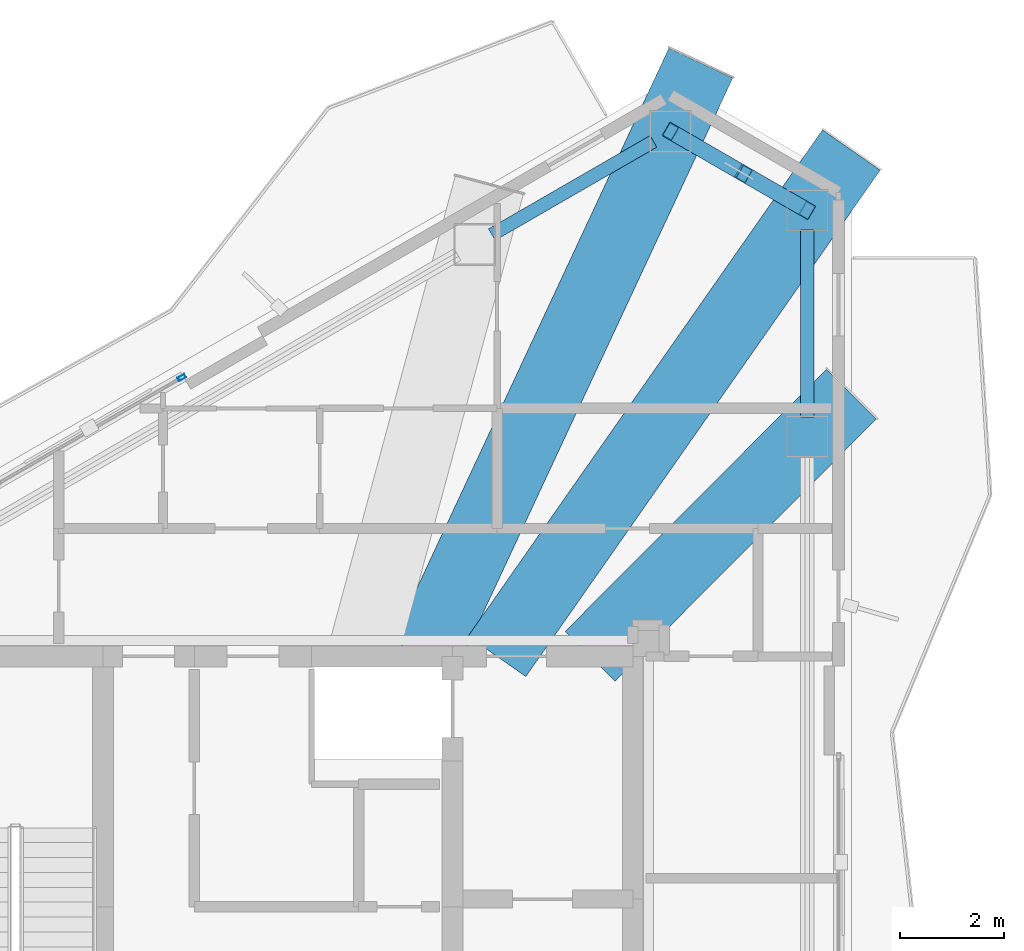
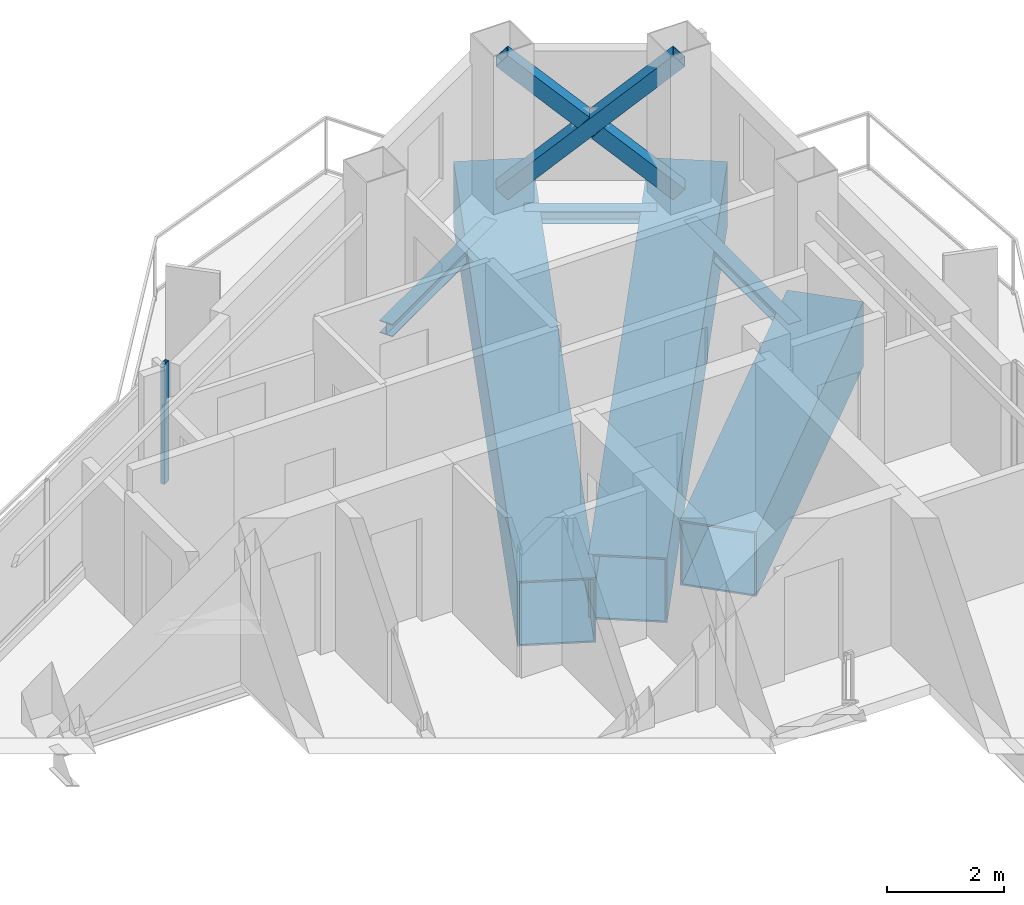
# One storey, part 11 of 17: 6 beams, 4 members, 1 element without a shape of its own.
"""IFC4 building model written with IfcOpenShell, lengths in metres."""

from ifc_helpers import new_model, si_unit, direction, frame, origin, origin_2d, place, context, subcontext, project, spatial, hollow_rectangle, i_section, extrude, material, layer, layer_set, material_profile, profile_set, type_object, element, aggregate, save


model = new_model("IFC4")

# Units and contexts
model_context = context("Model", 3, precision=1e-05, world=origin(), true_north=direction((0.0, 1.0)))
body_context = subcontext(model_context, "Body", "Model", "MODEL_VIEW")
ifc_project = project(units=[si_unit("LENGTHUNIT", "METRE"), si_unit("AREAUNIT", "SQUARE_METRE"), si_unit("VOLUMEUNIT", "CUBIC_METRE"), si_unit("PLANEANGLEUNIT", "RADIAN"), si_unit("MASSUNIT", "GRAM", prefix="KILO")], contexts=[model_context])

# Site, building, storey
site_placement = place(None, origin())
site = spatial("IfcSite", under=ifc_project, at=site_placement, CompositionType="ELEMENT")
building_placement = place(site_placement, origin())
building = spatial("IfcBuilding", under=site, at=building_placement, Name="Mersakhor Tower and Convention Hall", CompositionType="ELEMENT")
storey_placement = place(building_placement, frame((0.0, 0.0, 223.199951171875)))
storey = spatial("IfcBuildingStorey", under=building, at=storey_placement, Name="L62", CompositionType="ELEMENT", Elevation=223.199951171875)

# Beams
ifc_material_1 = material(Name="Steel S355", Category="steel")
ifc_material_profile_1 = material_profile(ifc_material_1, i_section(OverallWidth=0.25634765625, OverallDepth=0.26025390625, WebThickness=0.01025390625, FlangeThickness=0.017333984375, at=origin_2d()), Name="UC 254x254x89")
ifc_profile_set_1 = profile_set([ifc_material_profile_1], Name="Steel S355")
beam_type_1 = type_object("IfcBeamType", Name="BM-SPD-UC254", PredefinedType="SPANDREL", material=ifc_profile_set_1)
beam_1_placement = place(storey_placement, frame((33.1005859375, 40.829345703125, -0.35009765625), z_axis=(0.866002454009, 0.500039748071, 0.0), x_axis=(-0.500039748071, 0.866002454009, 0.0)))
element("IfcBeam", 1, at=beam_1_placement, inside=storey, type_object=beam_type_1, Name="L62 Perimeter Spandrel Beam SPB-03", PredefinedType="SPANDREL", context=body_context, shape_type="SweptSolid", body=[
    extrude(i_section(OverallWidth=0.25634765625, OverallDepth=0.26025390625, WebThickness=0.01025390625, FlangeThickness=0.017333984375, at=origin_2d()), origin(), (0.0, 0.0, 1.0), 3.574462890625),
])
beam_2_placement = place(storey_placement, frame((36.854248046875, 42.61669921875, -0.35009765625), z_axis=(0.866016678684, -0.500015112013, 0.0), x_axis=(0.500015112013, 0.866016678684, 0.0)))
element("IfcBeam", 2, at=beam_2_placement, inside=storey, type_object=beam_type_1, Name="L62 Perimeter Spandrel Beam SPB-04", PredefinedType="SPANDREL", context=body_context, shape_type="SweptSolid", body=[
    extrude(i_section(OverallWidth=0.25634765625, OverallDepth=0.26025390625, WebThickness=0.01025390625, FlangeThickness=0.017333984375, at=origin_2d()), origin(), (0.0, 0.0, 1.0), 2.2626953125),
])
beam_3_placement = place(storey_placement, frame((39.142822265625, 40.915283203125, -0.35009765625), z_axis=(0.0, -1.0, 0.0), x_axis=(1.0, 0.0, 0.0)))
element("IfcBeam", 3, at=beam_3_placement, inside=storey, type_object=beam_type_1, Name="L62 Perimeter Spandrel Beam SPB-05", PredefinedType="SPANDREL", context=body_context, shape_type="SweptSolid", body=[
    extrude(i_section(OverallWidth=0.25634765625, OverallDepth=0.26025390625, WebThickness=0.01025390625, FlangeThickness=0.017333984375, at=origin_2d()), origin(), (0.0, 0.0, 1.0), 3.574462890625),
])
ifc_material_2 = material(Name="Steel S460", Category="steel")
ifc_material_profile_2 = material_profile(ifc_material_2, hollow_rectangle(XDim=1.35009765625, YDim=1.35009765625, WallThickness=0.035888671875, at=origin_2d()), Name="SHS 1350x1350x36")
ifc_profile_set_2 = profile_set([ifc_material_profile_2], Name="Steel S460")
beam_type_2 = type_object("IfcBeamType", Name="BM-TR-BOX1350", PredefinedType="BEAM", material=ifc_profile_set_2)
beam_4_placement = place(storey_placement, frame((37.10400390625, 44.1171875, -0.89501953125), z_axis=(-0.42285350026, -0.906198056342, 0.0), x_axis=(0.906198056342, -0.42285350026, 0.0)))
element("IfcBeam", 4, at=beam_4_placement, inside=storey, type_object=beam_type_2, Name="L62 Taper Step Transfer Girder STG-04", PredefinedType="BEAM", context=body_context, shape_type="SweptSolid", body=[
    extrude(hollow_rectangle(XDim=1.35009765625, YDim=1.35009765625, WallThickness=0.035888671875, at=origin_2d()), origin(), (0.0, 0.0, 1.0), 12.543701171875),
])
beam_5_placement = place(storey_placement, frame((39.98828125, 42.451904296875, -0.89501953125), z_axis=(-0.573347490482, -0.819312306241, 0.0), x_axis=(0.819312306241, -0.573347490482, 0.0)))
element("IfcBeam", 5, at=beam_5_placement, inside=storey, type_object=beam_type_2, Name="L62 Taper Step Transfer Girder STG-05", PredefinedType="BEAM", context=body_context, shape_type="SweptSolid", body=[
    extrude(hollow_rectangle(XDim=1.35009765625, YDim=1.35009765625, WallThickness=0.035888671875, at=origin_2d()), origin(), (0.0, 0.0, 1.0), 11.841552734375),
])
beam_6_placement = place(storey_placement, frame((39.98828125, 37.772705078125, -0.89501953125), z_axis=(-0.706004351184, -0.708207495095, 0.0), x_axis=(0.708207495095, -0.706004351184, 0.0)))
element("IfcBeam", 6, at=beam_6_placement, inside=storey, type_object=beam_type_2, Name="L62 Taper Step Transfer Girder STG-06", PredefinedType="BEAM", context=body_context, shape_type="SweptSolid", body=[
    extrude(hollow_rectangle(XDim=1.35009765625, YDim=1.35009765625, WallThickness=0.035888671875, at=origin_2d()), origin(), (0.0, 0.0, 1.0), 7.092041015625),
])

# Curtain wall, member
ifc_material_3 = material(Name="Dark solar low-E aluminium curtain wall", Category="aluminium")
ifc_layer = layer(ifc_material_3, 0.179931640625)
ifc_layer_set = layer_set([ifc_layer], Name="Dark solar low-E aluminium curtain wall")
curtain_wall_type = type_object("IfcCurtainWallType", Name="CW-SYS-03", PredefinedType="USERDEFINED", material=ifc_layer_set)
curtain_wall_placement = place(storey_placement, origin())
curtain_wall = element("IfcCurtainWall", 7, at=curtain_wall_placement, inside=storey, type_object=curtain_wall_type, Name="L62 Dark-Glass Curtain Wall F1-B2", ObjectType="CURTAIN WALL", PredefinedType="USERDEFINED")
ifc_material_4 = material(Name="Anodised aluminium EN AW-6063 T6", Category="aluminium")
ifc_material_profile_3 = material_profile(ifc_material_4, hollow_rectangle(XDim=0.074951171875, YDim=0.14990234375, WallThickness=0.00634765625, at=origin_2d()), Name="RHS 150x75x6.3")
ifc_profile_set_3 = profile_set([ifc_material_profile_3], Name="Anodised aluminium EN AW-6063 T6")
member_type_1 = type_object("IfcMemberType", Name="CWM-150x75", PredefinedType="MULLION", material=ifc_profile_set_3)
member_1_placement = place(storey_placement, frame((27.158935546875, 38.091796875, 0.199951171875), z_axis=(0.0, 0.0, 1.0), x_axis=(-0.500004411169, 0.86602285698, 0.0)))
member_1 = element("IfcMember", 8, at=member_1_placement, type_object=member_type_1, Name="CW-03 mullion 3", PredefinedType="MULLION", context=body_context, shape_type="SweptSolid", body=[
    extrude(hollow_rectangle(XDim=0.074951171875, YDim=0.14990234375, WallThickness=0.00634765625, at=origin_2d()), origin(), (0.0, 0.0, 1.0), 2.5),
])
aggregate(curtain_wall, [member_1])

# Members
ifc_material_5 = material(Name="Steel S355", Category="steel")
ifc_material_profile_4 = material_profile(ifc_material_5, hollow_rectangle(XDim=0.300048828125, YDim=0.300048828125, WallThickness=0.01611328125, at=origin_2d()), Name="SHS 300x300x16")
ifc_profile_set_4 = profile_set([ifc_material_profile_4], Name="Steel S355")
member_type_2 = type_object("IfcMemberType", Name="MB-BRC-SHS300", PredefinedType="BRACE", material=ifc_profile_set_4)
member_2_placement = place(storey_placement, frame((36.525146484375, 42.806640625, 0.150146484375), z_axis=(0.637448673294, -0.368010379378, 0.676925069402), x_axis=(0.499978822259, 0.866037630414, 0.0)))
element("IfcMember", 9, at=member_2_placement, inside=storey, type_object=member_type_2, Name="L62 Chamfer Braced Frame Diagonal CB-1A", PredefinedType="BRACE", context=body_context, shape_type="SweptSolid", body=[
    extrude(hollow_rectangle(XDim=0.300048828125, YDim=0.300048828125, WallThickness=0.01611328125, at=origin_2d()), origin(), (0.0, 0.0, 1.0), 4.1064453125),
])
member_3_placement = place(storey_placement, frame((39.142822265625, 41.29541015625, 0.150146484375), z_axis=(-0.6374128848, 0.367990943802, 0.676969334291), x_axis=(-0.499980071345, -0.866036909293, 0.0)))
element("IfcMember", 10, at=member_3_placement, inside=storey, type_object=member_type_2, Name="L62 Chamfer Braced Frame Diagonal CB-1B Lower Half", PredefinedType="BRACE", context=body_context, shape_type="SweptSolid", body=[
    extrude(hollow_rectangle(XDim=0.300048828125, YDim=0.300048828125, WallThickness=0.01611328125, at=origin_2d()), origin(), (0.0, 0.0, 1.0), 1.894775390625),
])
member_4_placement = place(storey_placement, frame((37.73291015625, 42.109375, 1.6474609375), z_axis=(-0.637468486011, 0.36802304347, 0.676899526383), x_axis=(-0.499980071345, -0.866036909293, 0.0)))
element("IfcMember", 11, at=member_4_placement, inside=storey, type_object=member_type_2, Name="L62 Chamfer Braced Frame Diagonal CB-1B Upper Half", PredefinedType="BRACE", context=body_context, shape_type="SweptSolid", body=[
    extrude(hollow_rectangle(XDim=0.300048828125, YDim=0.300048828125, WallThickness=0.01611328125, at=origin_2d()), origin(), (0.0, 0.0, 1.0), 1.89453125),
])

save(model, "model.ifc")
